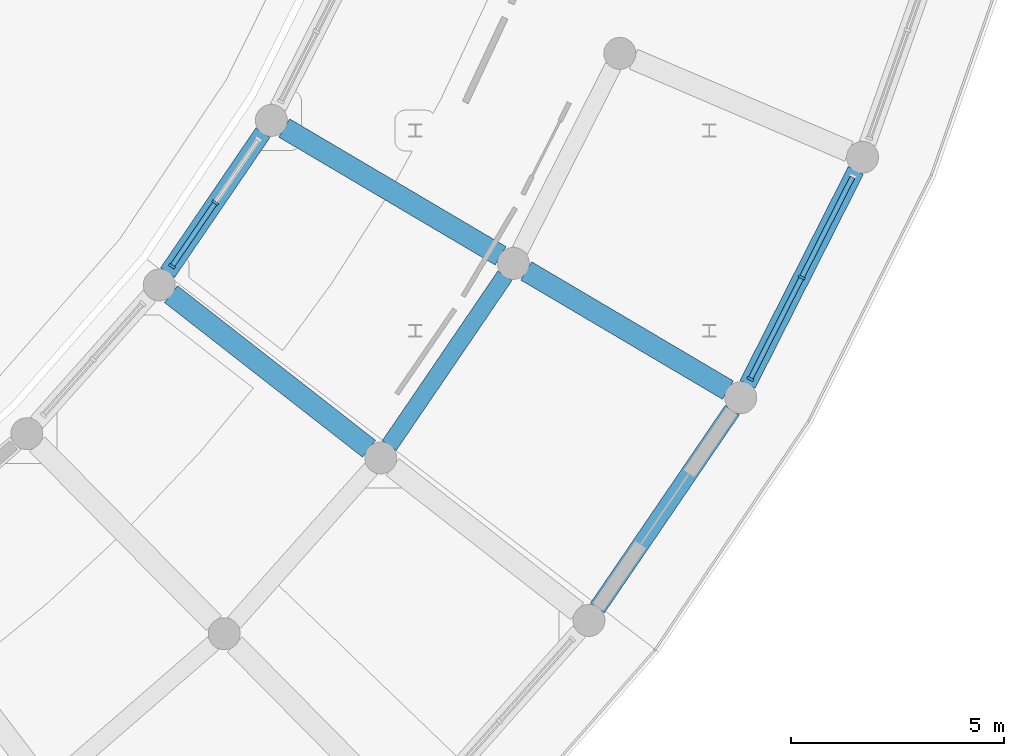
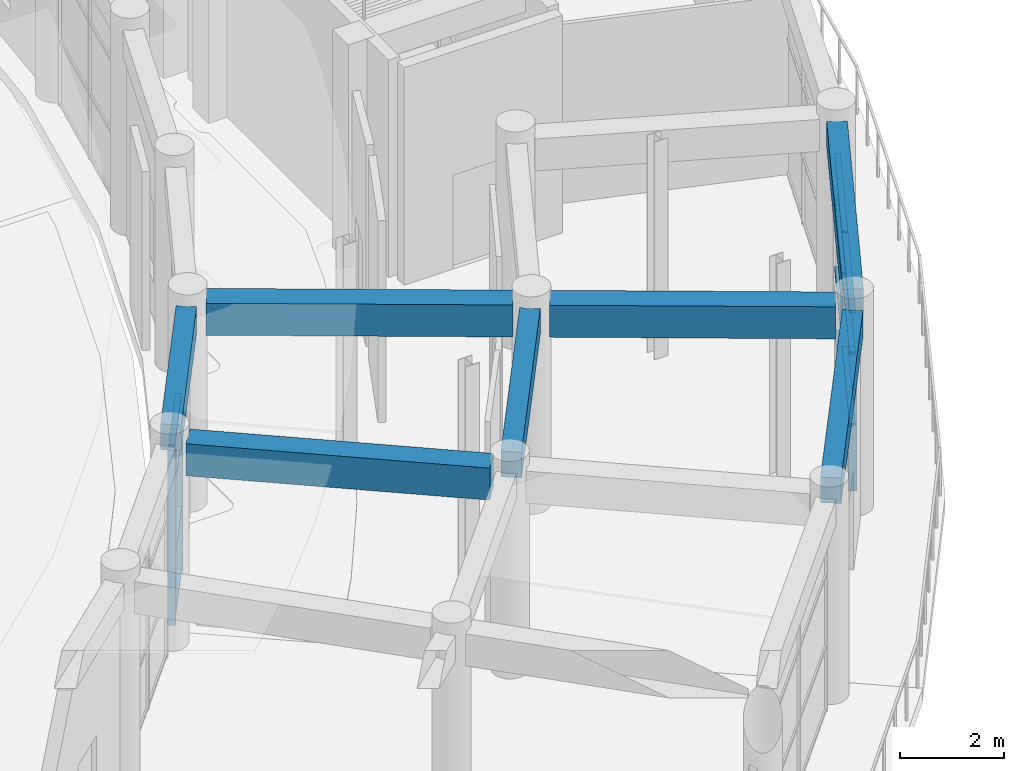
# One storey, part 30 of 99: 16 members, 7 beams, 2 elements without a shape of their own.
"""IFC4 building model written with IfcOpenShell, lengths in metres."""

from ifc_helpers import new_model, si_unit, direction, frame, origin, origin_2d, place, context, subcontext, project, spatial, rectangle, extrude, material, material_profile, profile_set, type_object, element, aggregate, save


model = new_model("IFC4")

# Units and contexts
model_context = context("Model", 3, precision=1e-05, world=origin(), true_north=direction((0.0, 1.0)))
body_context = subcontext(model_context, "Body", "Model", "MODEL_VIEW")
ifc_project = project(units=[si_unit("LENGTHUNIT", "METRE"), si_unit("AREAUNIT", "SQUARE_METRE"), si_unit("VOLUMEUNIT", "CUBIC_METRE"), si_unit("PLANEANGLEUNIT", "RADIAN"), si_unit("MASSUNIT", "GRAM", prefix="KILO")], contexts=[model_context])

# Site, building, storey
site_placement = place(None, origin())
site = spatial("IfcSite", under=ifc_project, at=site_placement, CompositionType="ELEMENT")
building_placement = place(site_placement, origin())
building = spatial("IfcBuilding", under=site, at=building_placement, Name="Saryqyr Civic Hall", CompositionType="ELEMENT")
storey_placement = place(building_placement, origin())
storey = spatial("IfcBuildingStorey", under=building, at=storey_placement, Name="L00", CompositionType="ELEMENT", Elevation=0.0)

# Curtain wall, members
ifc_material_1 = material(Name="Anodised aluminium and triple low-E glass", Category="aluminium")
curtain_wall_type_1 = type_object("IfcCurtainWallType", Name="ENV-CW-STD-09", PredefinedType="NOTDEFINED", material=ifc_material_1)
curtain_wall_1_placement = place(storey_placement, origin())
curtain_wall_1 = element("IfcCurtainWall", 1, at=curtain_wall_1_placement, inside=storey, type_object=curtain_wall_type_1, Name="Curtain wall V5-CWI-L00-05", PredefinedType="NOTDEFINED")
ifc_material_2 = material(Name="Anodised aluminium", Category="aluminium")
ifc_material_profile_1 = material_profile(ifc_material_2, rectangle(XDim=0.06005859375, YDim=0.159912109375, at=origin_2d()), Name="ALU MULLION 60x160")
ifc_profile_set_1 = profile_set([ifc_material_profile_1], Name="Anodised aluminium")
member_type_1 = type_object("IfcMemberType", Name="ENV-CW-MUL-180", PredefinedType="MULLION", material=ifc_profile_set_1)
member_1_placement = place(storey_placement, frame((85.83544921875, 62.165283203125, 0.0), z_axis=(0.0, 0.0, 1.0), x_axis=(0.563133092967, 0.826366213979, 0.0)))
member_1 = element("IfcMember", 2, at=member_1_placement, type_object=member_type_1, Name="CW-09 mullion 1", PredefinedType="MULLION", context=body_context, shape_type="SweptSolid", body=[
    extrude(rectangle(XDim=0.06005859375, YDim=0.159912109375, at=origin_2d()), origin(), (0.0, 0.0, 1.0), 4.195068359375),
])
member_2_placement = place(storey_placement, frame((86.85205078125, 63.6572265625, 0.0), z_axis=(0.0, 0.0, 1.0), x_axis=(0.563133092967, 0.826366213979, 0.0)))
member_2 = element("IfcMember", 3, at=member_2_placement, type_object=member_type_1, Name="CW-09 mullion 2", PredefinedType="MULLION", context=body_context, shape_type="SweptSolid", body=[
    extrude(rectangle(XDim=0.06005859375, YDim=0.159912109375, at=origin_2d()), origin(), (0.0, 0.0, 1.0), 4.195068359375),
])

curtain_wall_type_2 = type_object("IfcCurtainWallType", Name="ENV-CW-STD-35", PredefinedType="NOTDEFINED", material=ifc_material_1)
curtain_wall_2_placement = place(storey_placement, origin())
curtain_wall_2 = element("IfcCurtainWall", 4, at=curtain_wall_2_placement, inside=storey, type_object=curtain_wall_type_2, Name="Curtain wall V5-CWO-L00-06", PredefinedType="NOTDEFINED")
member_3_placement = place(storey_placement, frame((100.619384765625, 61.90185546875, 0.0), z_axis=(0.0, 0.0, 1.0), x_axis=(-0.451942386625, -0.892047128335, 0.0)))
member_3 = element("IfcMember", 5, at=member_3_placement, type_object=member_type_1, Name="CW-35 mullion 2", PredefinedType="MULLION", context=body_context, shape_type="SweptSolid", body=[
    extrude(rectangle(XDim=0.06005859375, YDim=0.159912109375, at=origin_2d()), origin(), (0.0, 0.0, 1.0), 4.195068359375),
])
member_4_placement = place(storey_placement, frame((99.4130859375, 59.520751953125, 0.0), z_axis=(0.0, 0.0, 1.0), x_axis=(-0.451942386625, -0.892047128335, 0.0)))
member_4 = element("IfcMember", 6, at=member_4_placement, type_object=member_type_1, Name="CW-35 mullion 3", PredefinedType="MULLION", context=body_context, shape_type="SweptSolid", body=[
    extrude(rectangle(XDim=0.06005859375, YDim=0.159912109375, at=origin_2d()), origin(), (0.0, 0.0, 1.0), 4.195068359375),
])

# Member
ifc_material_profile_2 = material_profile(ifc_material_2, rectangle(XDim=0.1201171875, YDim=0.06005859375, at=origin_2d()), Name="ALU TRANSOM 120x60")
ifc_profile_set_2 = profile_set([ifc_material_profile_2], Name="Anodised aluminium")
member_type_2 = type_object("IfcMemberType", Name="ENV-CW-TRN-150", PredefinedType="USERDEFINED", material=ifc_profile_set_2)
member_5_placement = place(storey_placement, frame((85.852294921875, 62.190185546875, 0.030029296875), z_axis=(0.563128476931, 0.82636935959, 0.0), x_axis=(-0.82636935959, 0.563128476931, 0.0)))
member_5 = element("IfcMember", 7, at=member_5_placement, type_object=member_type_2, Name="CW-09 transom 1.1", ObjectType="TRANSOM", PredefinedType="USERDEFINED", context=body_context, shape_type="SweptSolid", body=[
    extrude(rectangle(XDim=0.1201171875, YDim=0.06005859375, at=origin_2d()), origin(), (0.0, 0.0, 1.0), 1.745361328125),
])

member_6_placement = place(storey_placement, frame((85.852294921875, 62.190185546875, 1.510009765625), z_axis=(0.563128476931, 0.82636935959, 0.0), x_axis=(-0.82636935959, 0.563128476931, 0.0)))
member_6 = element("IfcMember", 8, at=member_6_placement, type_object=member_type_2, Name="CW-09 transom 1.2", ObjectType="TRANSOM", PredefinedType="USERDEFINED", context=body_context, shape_type="SweptSolid", body=[
    extrude(rectangle(XDim=0.1201171875, YDim=0.06005859375, at=origin_2d()), origin(), (0.0, 0.0, 1.0), 1.745361328125),
])

member_7_placement = place(storey_placement, frame((85.852294921875, 62.190185546875, 3.18798828125), z_axis=(0.563128476931, 0.82636935959, 0.0), x_axis=(-0.82636935959, 0.563128476931, 0.0)))
member_7 = element("IfcMember", 9, at=member_7_placement, type_object=member_type_2, Name="CW-09 transom 1.3", ObjectType="TRANSOM", PredefinedType="USERDEFINED", context=body_context, shape_type="SweptSolid", body=[
    extrude(rectangle(XDim=0.1201171875, YDim=0.06005859375, at=origin_2d()), origin(), (0.0, 0.0, 1.0), 1.745361328125),
])

member_8_placement = place(storey_placement, frame((85.852294921875, 62.190185546875, 4.1650390625), z_axis=(0.563128476931, 0.82636935959, 0.0), x_axis=(-0.82636935959, 0.563128476931, 0.0)))
member_8 = element("IfcMember", 10, at=member_8_placement, type_object=member_type_2, Name="CW-09 transom 1.4", ObjectType="TRANSOM", PredefinedType="USERDEFINED", context=body_context, shape_type="SweptSolid", body=[
    extrude(rectangle(XDim=0.1201171875, YDim=0.06005859375, at=origin_2d()), origin(), (0.0, 0.0, 1.0), 1.745361328125),
])

aggregate(curtain_wall_1, [member_1, member_2, member_5, member_6, member_7, member_8])

member_9_placement = place(storey_placement, frame((101.81201171875, 64.255859375, 0.030029296875), z_axis=(-0.451886357797, -0.892075512296, 0.0), x_axis=(0.892075512296, -0.451886357797, 0.0)))
member_9 = element("IfcMember", 11, at=member_9_placement, type_object=member_type_2, Name="CW-35 transom 1.1", ObjectType="TRANSOM", PredefinedType="USERDEFINED", context=body_context, shape_type="SweptSolid", body=[
    extrude(rectangle(XDim=0.1201171875, YDim=0.06005859375, at=origin_2d()), origin(), (0.0, 0.0, 1.0), 2.60888671875),
])

member_10_placement = place(storey_placement, frame((101.81201171875, 64.255859375, 1.510009765625), z_axis=(-0.451886357797, -0.892075512296, 0.0), x_axis=(0.892075512296, -0.451886357797, 0.0)))
member_10 = element("IfcMember", 12, at=member_10_placement, type_object=member_type_2, Name="CW-35 transom 1.2", ObjectType="TRANSOM", PredefinedType="USERDEFINED", context=body_context, shape_type="SweptSolid", body=[
    extrude(rectangle(XDim=0.1201171875, YDim=0.06005859375, at=origin_2d()), origin(), (0.0, 0.0, 1.0), 2.60888671875),
])

member_11_placement = place(storey_placement, frame((101.81201171875, 64.255859375, 3.18798828125), z_axis=(-0.451886357797, -0.892075512296, 0.0), x_axis=(0.892075512296, -0.451886357797, 0.0)))
member_11 = element("IfcMember", 13, at=member_11_placement, type_object=member_type_2, Name="CW-35 transom 1.3", ObjectType="TRANSOM", PredefinedType="USERDEFINED", context=body_context, shape_type="SweptSolid", body=[
    extrude(rectangle(XDim=0.1201171875, YDim=0.06005859375, at=origin_2d()), origin(), (0.0, 0.0, 1.0), 2.60888671875),
])

member_12_placement = place(storey_placement, frame((101.81201171875, 64.255859375, 4.1650390625), z_axis=(-0.451886357797, -0.892075512296, 0.0), x_axis=(0.892075512296, -0.451886357797, 0.0)))
member_12 = element("IfcMember", 14, at=member_12_placement, type_object=member_type_2, Name="CW-35 transom 1.4", ObjectType="TRANSOM", PredefinedType="USERDEFINED", context=body_context, shape_type="SweptSolid", body=[
    extrude(rectangle(XDim=0.1201171875, YDim=0.06005859375, at=origin_2d()), origin(), (0.0, 0.0, 1.0), 2.60888671875),
])

member_13_placement = place(storey_placement, frame((100.60595703125, 61.875, 0.030029296875), z_axis=(-0.451960822028, -0.892037788074, 0.0), x_axis=(0.892037788074, -0.451960822028, 0.0)))
member_13 = element("IfcMember", 15, at=member_13_placement, type_object=member_type_2, Name="CW-35 transom 2.1", ObjectType="TRANSOM", PredefinedType="USERDEFINED", context=body_context, shape_type="SweptSolid", body=[
    extrude(rectangle(XDim=0.1201171875, YDim=0.06005859375, at=origin_2d()), origin(), (0.0, 0.0, 1.0), 2.609130859375),
])

member_14_placement = place(storey_placement, frame((100.60595703125, 61.875, 1.510009765625), z_axis=(-0.451960822028, -0.892037788074, 0.0), x_axis=(0.892037788074, -0.451960822028, 0.0)))
member_14 = element("IfcMember", 16, at=member_14_placement, type_object=member_type_2, Name="CW-35 transom 2.2", ObjectType="TRANSOM", PredefinedType="USERDEFINED", context=body_context, shape_type="SweptSolid", body=[
    extrude(rectangle(XDim=0.1201171875, YDim=0.06005859375, at=origin_2d()), origin(), (0.0, 0.0, 1.0), 2.609130859375),
])

member_15_placement = place(storey_placement, frame((100.60595703125, 61.875, 3.18798828125), z_axis=(-0.451960822028, -0.892037788074, 0.0), x_axis=(0.892037788074, -0.451960822028, 0.0)))
member_15 = element("IfcMember", 17, at=member_15_placement, type_object=member_type_2, Name="CW-35 transom 2.3", ObjectType="TRANSOM", PredefinedType="USERDEFINED", context=body_context, shape_type="SweptSolid", body=[
    extrude(rectangle(XDim=0.1201171875, YDim=0.06005859375, at=origin_2d()), origin(), (0.0, 0.0, 1.0), 2.609130859375),
])

member_16_placement = place(storey_placement, frame((100.60595703125, 61.875, 4.1650390625), z_axis=(-0.451960822028, -0.892037788074, 0.0), x_axis=(0.892037788074, -0.451960822028, 0.0)))
member_16 = element("IfcMember", 18, at=member_16_placement, type_object=member_type_2, Name="CW-35 transom 2.4", ObjectType="TRANSOM", PredefinedType="USERDEFINED", context=body_context, shape_type="SweptSolid", body=[
    extrude(rectangle(XDim=0.1201171875, YDim=0.06005859375, at=origin_2d()), origin(), (0.0, 0.0, 1.0), 2.609130859375),
])

aggregate(curtain_wall_2, [member_3, member_4, member_9, member_10, member_11, member_12, member_13, member_14, member_15, member_16])

# Beams
ifc_material_3 = material(Name="Concrete C35/45", Category="concrete")
ifc_material_profile_3 = material_profile(ifc_material_3, rectangle(XDim=0.39990234375, YDim=0.60009765625, at=origin_2d()), Name="RC 400x600")
ifc_profile_set_3 = profile_set([ifc_material_profile_3], Name="Concrete C35/45")
beam_type_1 = type_object("IfcBeamType", Name="STR-BM-RC400x600", PredefinedType="BEAM", material=ifc_profile_set_3)
beam_1_placement = place(storey_placement, frame((90.935546875, 57.95361328125, 4.52001953125), z_axis=(0.563109268965, 0.82638244851, 0.0), x_axis=(-0.82638244851, 0.563109268965, 0.0)))
element("IfcBeam", 19, at=beam_1_placement, inside=storey, type_object=beam_type_1, Name="Beam V5-CBM-MID05-L00", PredefinedType="BEAM", context=body_context, shape_type="SweptSolid", body=[
    extrude(rectangle(XDim=0.39990234375, YDim=0.60009765625, at=origin_2d()), origin(), (0.0, 0.0, 1.0), 4.82763671875),
])
ifc_material_profile_4 = material_profile(ifc_material_3, rectangle(XDim=0.39990234375, YDim=0.60009765625, at=origin_2d()), Name="RC 400x600")
ifc_profile_set_4 = profile_set([ifc_material_profile_4], Name="Concrete C35/45")
beam_type_2 = type_object("IfcBeamType", Name="STR-BM-RC400x600-EXT", PredefinedType="BEAM", material=ifc_profile_set_4)
beam_2_placement = place(storey_placement, frame((85.73291015625, 62.0146484375, 4.52001953125), z_axis=(0.563104312939, 0.826385825598, 0.0), x_axis=(-0.826385825598, 0.563104312939, 0.0)))
element("IfcBeam", 20, at=beam_2_placement, inside=storey, type_object=beam_type_2, Name="Beam V5-CBM-IN05-L00", PredefinedType="BEAM", context=body_context, shape_type="SweptSolid", body=[
    extrude(rectangle(XDim=0.39990234375, YDim=0.60009765625, at=origin_2d()), origin(), (0.0, 0.0, 1.0), 3.975341796875),
])
beam_3_placement = place(storey_placement, frame((95.82275390625, 54.138671875, 4.52001953125), z_axis=(0.56312010385, 0.826375065355, 0.0), x_axis=(-0.826375065355, 0.56312010385, 0.0)))
element("IfcBeam", 21, at=beam_3_placement, inside=storey, type_object=beam_type_2, Name="Beam V5-CBM-OUT05-L00", PredefinedType="BEAM", context=body_context, shape_type="SweptSolid", body=[
    extrude(rectangle(XDim=0.39990234375, YDim=0.60009765625, at=origin_2d()), origin(), (0.0, 0.0, 1.0), 5.62841796875),
])
beam_4_placement = place(storey_placement, frame((99.34765625, 59.391357421875, 4.52001953125), z_axis=(0.45190956529, 0.892063756017, 0.0), x_axis=(-0.892063756017, 0.45190956529, 0.0)))
element("IfcBeam", 22, at=beam_4_placement, inside=storey, type_object=beam_type_2, Name="Beam V5-CBM-OUT06-L00", PredefinedType="BEAM", context=body_context, shape_type="SweptSolid", body=[
    extrude(rectangle(XDim=0.39990234375, YDim=0.60009765625, at=origin_2d()), origin(), (0.0, 0.0, 1.0), 5.628173828125),
])
ifc_material_4 = material(Name="Concrete C40/50", Category="concrete")
ifc_material_profile_5 = material_profile(ifc_material_4, rectangle(XDim=0.5, YDim=0.75, at=origin_2d()), Name="RC 500x750")
ifc_profile_set_5 = profile_set([ifc_material_profile_5], Name="Concrete C40/50")
beam_type_3 = type_object("IfcBeamType", Name="STR-BM-RC500x750", PredefinedType="BEAM", material=ifc_profile_set_5)
for number, where, z_axis, x_axis, name in (
    (23, (85.8115234375, 61.510009765625, 4.445068359375), (0.788301586878, -0.615289044373, 0.0), (0.615289044373, 0.788301586878, 0.0), "Beam V5-RBM-A05-L00"),
    (24, (88.469970703125, 65.410888671875, 4.445068359375), (0.861017958449, -0.508574552282, 0.0), (0.508574552282, 0.861017958449, 0.0), "Beam V5-RBM-A06-L00"),
):
    element("IfcBeam", number, at=place(storey_placement, frame(where, z_axis=z_axis, x_axis=x_axis)), inside=storey, type_object=beam_type_3, Name=name, PredefinedType="BEAM", context=body_context, shape_type="SweptSolid", body=[
        extrude(rectangle(XDim=0.5, YDim=0.75, at=origin_2d()), origin(), (0.0, 0.0, 1.0), 5.89990234375),
    ])
beam_5_placement = place(storey_placement, frame((94.152587890625, 62.05419921875, 4.445068359375), z_axis=(0.861009588578, -0.508588722228, 0.0), x_axis=(0.508588722228, 0.861009588578, 0.0)))
element("IfcBeam", 25, at=beam_5_placement, inside=storey, type_object=beam_type_3, Name="Beam V5-RBM-B06-L00", PredefinedType="BEAM", context=body_context, shape_type="SweptSolid", body=[
    extrude(rectangle(XDim=0.5, YDim=0.75, at=origin_2d()), origin(), (0.0, 0.0, 1.0), 5.499755859375),
])

save(model, "model.ifc")
